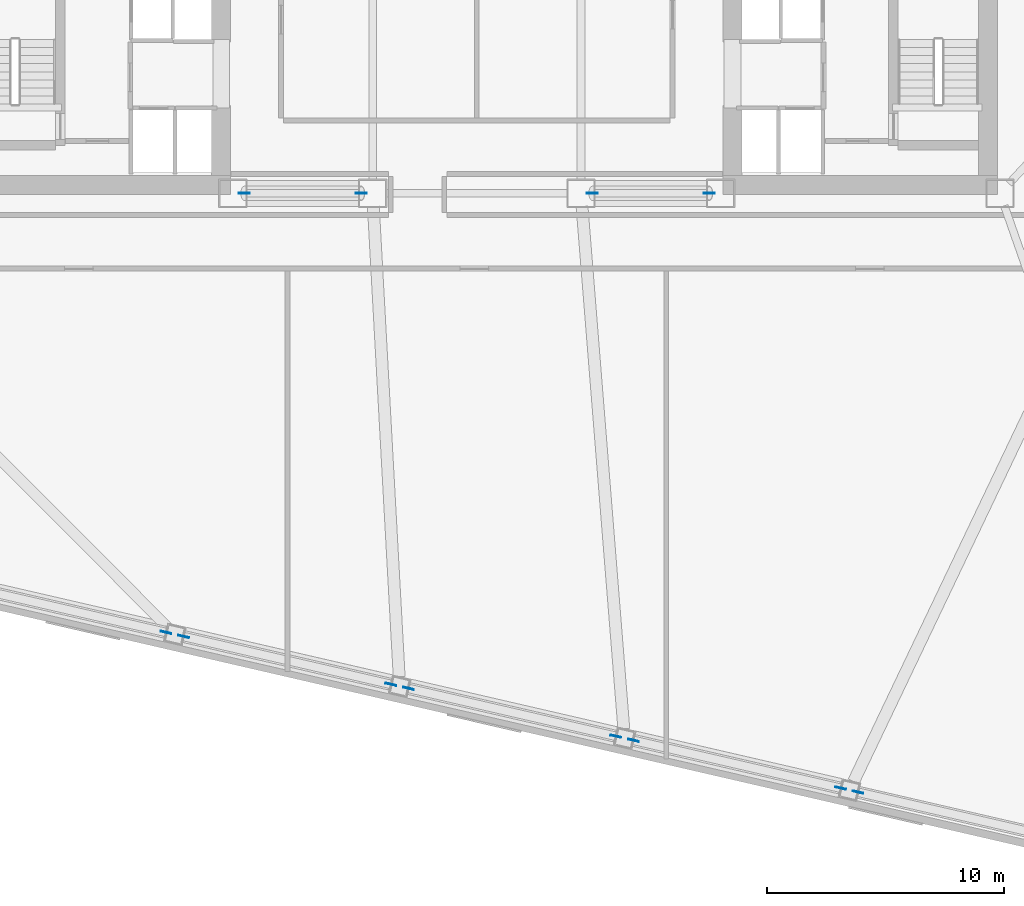
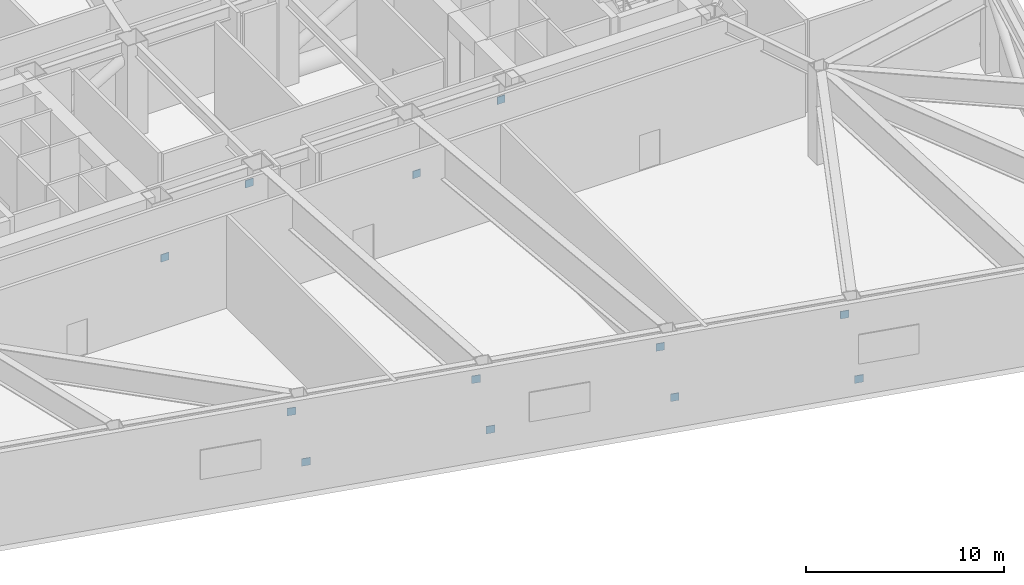
# One storey, part 10 of 15: 12 discrete accessories.
"""IFC4 building model written with IfcOpenShell, lengths in metres."""

from ifc_helpers import new_model, si_unit, direction, frame, origin, origin_2d, place, context, subcontext, project, spatial, rectangle, extrude, material, type_object, element, save


model = new_model("IFC4")

# Units and contexts
model_context = context("Model", 3, precision=1e-05, world=origin(), true_north=direction((0.0, 1.0)))
body_context = subcontext(model_context, "Body", "Model", "MODEL_VIEW")
ifc_project = project(units=[si_unit("LENGTHUNIT", "METRE"), si_unit("AREAUNIT", "SQUARE_METRE"), si_unit("VOLUMEUNIT", "CUBIC_METRE"), si_unit("PLANEANGLEUNIT", "RADIAN"), si_unit("MASSUNIT", "GRAM", prefix="KILO")], contexts=[model_context])

# Site, building, storey
site_placement = place(None, origin())
site = spatial("IfcSite", under=ifc_project, at=site_placement, CompositionType="ELEMENT")
building_placement = place(site_placement, origin())
building = spatial("IfcBuilding", under=site, at=building_placement, Name="Tavrogorsk Clinical Tower", CompositionType="ELEMENT")
storey_placement = place(building_placement, frame((0.0, 0.0, 33.39990234375)))
storey = spatial("IfcBuildingStorey", under=building, at=storey_placement, Name="L06", CompositionType="ELEMENT", Elevation=33.39990234375)

# Discrete accessories
ifc_material = material(Name="Structural steel S440", Category="steel")
discrete_accessory_type = type_object("IfcDiscreteAccessoryType", Name="GussetPlateBracket_25", PredefinedType="BRACKET", material=ifc_material)
for number, where, z_axis, x_axis, name in (
    (1, (-13.12890625, -24.8984375, 4.4208984375), (0.0, 0.0, 1.0), (0.974370064785, -0.224951054344, 0.0), "L06 Brace Gusset Plate EXOBELT-L06-03-B"),
    (2, (-12.381591796875, -25.071044921875, 1.159423828125), (0.0, 0.0, 1.0), (0.974370064785, -0.224951054344, 0.0), "L06 Brace Gusset Plate EXOBELT-L06-04-A"),
    (3, (-3.630126953125, -27.091552734375, 4.4208984375), (0.0, 0.0, 1.0), (0.974370064785, -0.224951054344, 0.0), "L06 Brace Gusset Plate EXOBELT-L06-04-B"),
    (4, (-2.8828125, -27.26416015625, 1.159423828125), (0.0, 0.0, 1.0), (0.974370064785, -0.224951054344, 0.0), "L06 Brace Gusset Plate EXOBELT-L06-05-A"),
    (5, (5.86865234375, -29.284423828125, 4.4208984375), (0.0, 0.0, 1.0), (0.974370064785, -0.224951054344, 0.0), "L06 Brace Gusset Plate EXOBELT-L06-05-B"),
    (6, (6.615966796875, -29.45703125, 1.159423828125), (0.0, 0.0, 1.0), (0.974370064785, -0.224951054344, 0.0), "L06 Brace Gusset Plate EXOBELT-L06-06-A"),
    (7, (15.367431640625, -31.4775390625, 4.4208984375), (0.0, 0.0, 1.0), (0.974370064785, -0.224951054344, 0.0), "L06 Brace Gusset Plate EXOBELT-L06-06-B"),
    (8, (16.102783203125, -31.647216796875, 0.289306640625), (0.0, 0.0, 1.0), (0.974370064785, -0.224951054344, 0.0), "L06 Brace Gusset Plate EXOBELT-L06-07-A"),
    (9, (-9.815185546875, -6.35009765625, 1.5302734375), (0.0, 0.0, 1.0), (1.0, 0.0, 0.0), "L06 Brace Gusset Plate ORDG-L06-01-A"),
    (10, (-4.884765625, -6.35009765625, 4.3798828125), (0.0, 0.0, 1.0), (1.0, 0.0, 0.0), "L06 Brace Gusset Plate ORDG-L06-01-B"),
    (11, (4.884765625, -6.35009765625, 1.5302734375), (0.0, 0.0, 1.0), (1.0, 0.0, 0.0), "L06 Brace Gusset Plate ORDG-L06-03-A"),
    (12, (9.815185546875, -6.35009765625, 4.3798828125), (0.0, 0.0, 1.0), (1.0, 0.0, 0.0), "L06 Brace Gusset Plate ORDG-L06-03-B"),
):
    element("IfcDiscreteAccessory", number, at=place(storey_placement, frame(where, z_axis=z_axis, x_axis=x_axis)), inside=storey, type_object=discrete_accessory_type, Name=name, PredefinedType="BRACKET", context=body_context, shape_type="SweptSolid", body=[
        extrude(rectangle(XDim=0.4599609375, YDim=0.0400390625, at=origin_2d()), origin(), (0.0, 0.0, 1.0), 0.4599609375),
    ])

save(model, "model.ifc")
